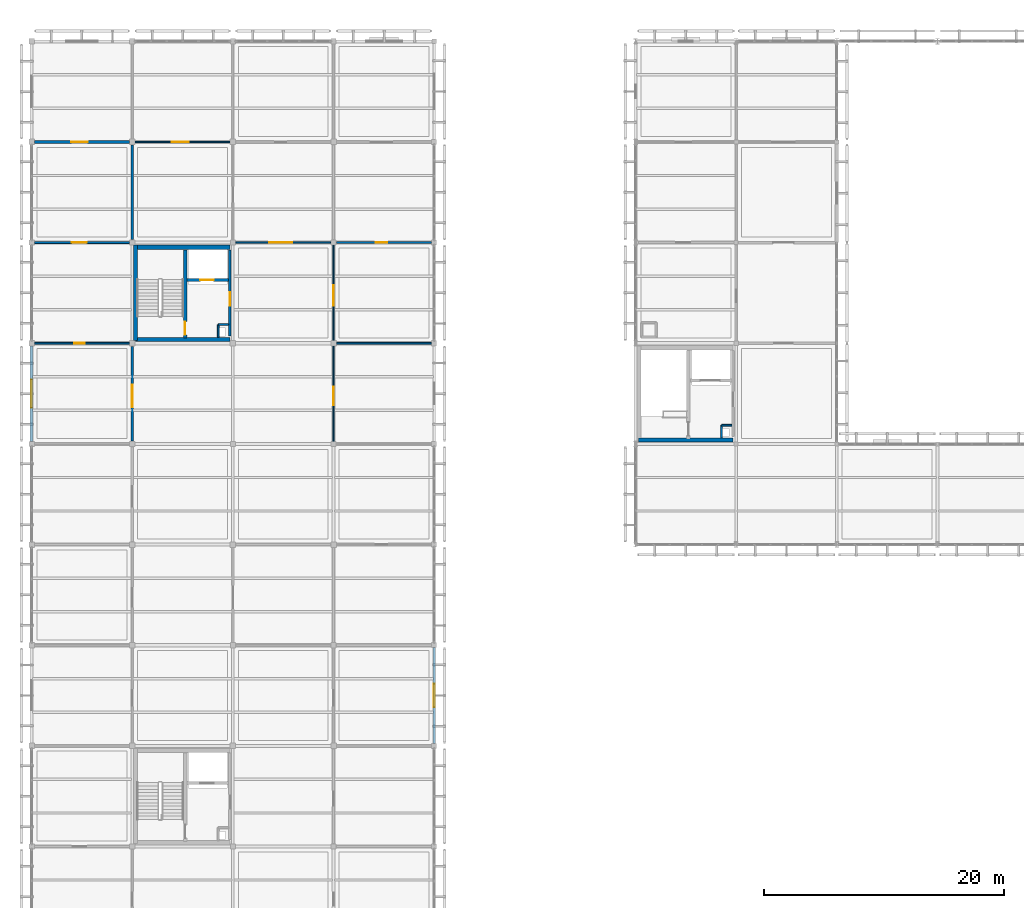
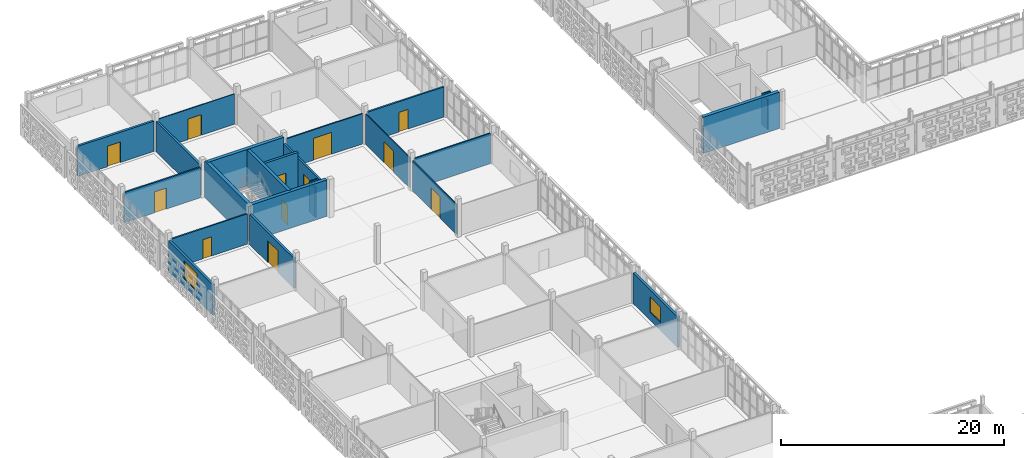
# One storey, part 86 of 140: 24 walls, 12 doors, 2 windows, 14 openings.
"""IFC4 building model written with IfcOpenShell, lengths in metres."""

from ifc_helpers import new_model, si_unit, direction, frame, frame_2d, origin, place, context, subcontext, project, spatial, rectangle, extrude, material, layer, layer_set, type_object, element, fill, save


model = new_model("IFC4")

# Units and contexts
model_context = context("Model", 3, precision=1e-05, world=origin(), true_north=direction((0.0, 1.0)))
body_context = subcontext(model_context, "Body", "Model", "MODEL_VIEW")
ifc_project = project(units=[si_unit("LENGTHUNIT", "METRE"), si_unit("AREAUNIT", "SQUARE_METRE"), si_unit("VOLUMEUNIT", "CUBIC_METRE"), si_unit("PLANEANGLEUNIT", "RADIAN"), si_unit("MASSUNIT", "GRAM", prefix="KILO")], contexts=[model_context])

# Site, building, storey
site_placement = place(None, origin())
site = spatial("IfcSite", under=ifc_project, at=site_placement, CompositionType="ELEMENT")
building_placement = place(site_placement, origin())
building = spatial("IfcBuilding", under=site, at=building_placement, Name="Varnapada Polytechnic", CompositionType="ELEMENT")
storey_placement = place(building_placement, frame((0.0, 0.0, 13.800048828125)))
storey = spatial("IfcBuildingStorey", under=building, at=storey_placement, Name="L03", CompositionType="ELEMENT", Elevation=13.800048828125)

# Wall, opening, door
ifc_material_1 = material(Name="Autoclaved Aerated Concrete Block AAC-600", Category="concrete")
ifc_layer_1 = layer(ifc_material_1, 0.199951171875)
ifc_layer_set_1 = layer_set([ifc_layer_1], Name="Autoclaved Aerated Concrete Block AAC-600")
wall_type_1 = type_object("IfcWallType", Name="Interior Wall IW-01", PredefinedType="PARTITIONING", material=ifc_layer_set_1)
wall_1_placement = place(storey_placement, frame((16.5400390625, 108.60009765625, 0.0), z_axis=(0.0, 0.0, 1.0), x_axis=(0.0, -1.0, 0.0)))
wall_1 = element("IfcWall", 1, at=wall_1_placement, inside=storey, type_object=wall_type_1, Name="L03 C1 firefighting lobby east wall", PredefinedType="PARTITIONING", context=body_context, shape_type="SweptSolid", body=[
    extrude(rectangle(XDim=7.2001953125, YDim=0.199951171875, at=frame_2d((3.60009765625, 0.0))), origin(), (0.0, 0.0, 1.0), 3.320068359375),
])
opening_1_placement = place(wall_1_placement, frame((3.550048828125, 0.0, 0.0)))
opening_1 = element("IfcOpeningElement", 2, at=opening_1_placement, cuts=wall_1, Name="Opening D-1188", PredefinedType="OPENING", context=body_context, shape_type="SweptSolid", body=[
    extrude(rectangle(XDim=1.10009765625, YDim=2.14990234375, at=frame_2d((0.550048828125, 1.074951171875))), frame((0.0, 0.10986328125, 0.0), z_axis=(0.0, -1.0, 0.0), x_axis=(1.0, 0.0, 0.0)), (0.0, 0.0, 1.0), 0.219970703125),
])
ifc_material_2 = material(Name="Galvanized Steel Z275", Category="steel")
door_type_1 = type_object("IfcDoorType", Name="Interior Door ID-01", OperationType="NOTDEFINED", PredefinedType="DOOR", material=ifc_material_2)
door_1_placement = place(opening_1_placement, frame((1.10009765625, 0.0, 0.0), z_axis=(0.0, 0.0, 1.0), x_axis=(-1.0, 0.0, 0.0)))
door_1 = element("IfcDoor", 3, at=door_1_placement, inside=storey, type_object=door_type_1, Name="L03 C1 lobby fire door D-1188", OperationType="SINGLE_SWING_RIGHT", OverallHeight=2.14990234375, OverallWidth=1.10009765625, PredefinedType="DOOR", context=body_context, shape_type="SweptSolid", body=[
    extrude(rectangle(XDim=1.10009765625, YDim=2.14990234375, at=frame_2d((0.550048828125, 1.074951171875))), frame((0.0, 0.02490234375, 0.0), z_axis=(0.0, -1.0, 0.0), x_axis=(1.0, 0.0, 0.0)), (0.0, 0.0, 1.0), 0.050048828125),
])
fill(opening_1, door_1)

# Walls
ifc_layer_2 = layer(ifc_material_1, 0.14990234375)
ifc_layer_set_2 = layer_set([ifc_layer_2], Name="Autoclaved Aerated Concrete Block AAC-600")
wall_type_2 = type_object("IfcWallType", Name="Interior Wall IW-02", PredefinedType="PARTITIONING", material=ifc_layer_set_2)
wall_2_placement = place(storey_placement, frame((15.580078125, 102.360107421875, 0.0), z_axis=(0.0, 0.0, 1.0), x_axis=(0.0, -1.0, 0.0)))
element("IfcWall", 4, at=wall_2_placement, inside=storey, type_object=wall_type_2, Name="L03 C1 riser shaft west wall", PredefinedType="PARTITIONING", context=body_context, shape_type="SweptSolid", body=[
    extrude(rectangle(XDim=1.06005859375, YDim=0.14990234375, at=frame_2d((0.530029296875, 0.0))), origin(), (0.0, 0.0, 1.0), 3.320068359375),
])
wall_3_placement = place(storey_placement, frame((15.580078125, 102.360107421875, 0.0), z_axis=(0.0, 0.0, 1.0), x_axis=(1.0, 0.0, 0.0)))
element("IfcWall", 5, at=wall_3_placement, inside=storey, type_object=wall_type_2, Name="L03 C1 riser shaft north wall", PredefinedType="PARTITIONING", context=body_context, shape_type="SweptSolid", body=[
    extrude(rectangle(XDim=0.85986328125, YDim=0.14990234375, at=frame_2d((0.429931640625, 0.0))), origin(), (0.0, 0.0, 1.0), 3.320068359375),
])
wall_4_placement = place(storey_placement, frame((57.580078125, 93.9599609375, 0.0), z_axis=(0.0, 0.0, 1.0), x_axis=(0.0, -1.0, 0.0)))
element("IfcWall", 6, at=wall_4_placement, inside=storey, type_object=wall_type_2, Name="L03 C4 riser shaft west wall", PredefinedType="PARTITIONING", context=body_context, shape_type="SweptSolid", body=[
    extrude(rectangle(XDim=1.06005859375, YDim=0.14990234375, at=frame_2d((0.530029296875, 0.0))), origin(), (0.0, 0.0, 1.0), 3.320068359375),
])
wall_5_placement = place(storey_placement, frame((57.580078125, 93.9599609375, 0.0), z_axis=(0.0, 0.0, 1.0), x_axis=(1.0, 0.0, 0.0)))
element("IfcWall", 7, at=wall_5_placement, inside=storey, type_object=wall_type_2, Name="L03 C4 riser shaft north wall", PredefinedType="PARTITIONING", context=body_context, shape_type="SweptSolid", body=[
    extrude(rectangle(XDim=0.85986328125, YDim=0.14990234375, at=frame_2d((0.429931640625, 0.0))), origin(), (0.0, 0.0, 1.0), 3.320068359375),
])

# Wall, opening, door
ifc_material_3 = material(Name="Glazed Timber-Framed Studio Screen", Category="wood")
ifc_layer_3 = layer(ifc_material_3, 0.110107421875)
ifc_layer_set_3 = layer_set([ifc_layer_3], Name="Glazed Timber-Framed Studio Screen")
wall_type_3 = type_object("IfcWallType", Name="Interior Wall IW-07", PredefinedType="PARTITIONING", material=ifc_layer_set_3)
wall_6_placement = place(storey_placement, frame((25.199951171875, 92.639892578125, 0.0), z_axis=(0.0, 0.0, 1.0), x_axis=(0.0, 1.0, 0.0)))
wall_6 = element("IfcWall", 8, at=wall_6_placement, inside=storey, type_object=wall_type_3, Name="L03 interior partition IW-L03-02-11-V", PredefinedType="PARTITIONING", context=body_context, shape_type="SweptSolid", body=[
    extrude(rectangle(XDim=7.91015625, YDim=0.110107421875, at=frame_2d((3.955078125, 0.0))), origin(), (0.0, 0.0, 1.0), 3.320068359375),
])
opening_2_placement = place(wall_6_placement, frame((2.97509765625, 0.0, 0.0)))
opening_2 = element("IfcOpeningElement", 9, at=opening_2_placement, cuts=wall_6, Name="Opening D-1217", PredefinedType="OPENING", context=body_context, shape_type="SweptSolid", body=[
    extrude(rectangle(XDim=1.550048828125, YDim=2.35009765625, at=frame_2d((0.77490234375, 1.175048828125))), frame((0.0, 0.06494140625, 0.0), z_axis=(0.0, -1.0, 0.0), x_axis=(1.0, 0.0, 0.0)), (0.0, 0.0, 1.0), 0.130126953125),
])
door_type_2 = type_object("IfcDoorType", Name="Interior Door ID-12", OperationType="NOTDEFINED", PredefinedType="DOOR", material=ifc_material_2)
door_2_placement = place(opening_2_placement, frame((1.550048828125, 0.0, 0.0), z_axis=(0.0, 0.0, 1.0), x_axis=(-1.0, 0.0, 0.0)))
door_2 = element("IfcDoor", 10, at=door_2_placement, inside=storey, type_object=door_type_2, Name="L03 interior room door D-1217", OperationType="SINGLE_SWING_RIGHT", OverallHeight=2.35009765625, OverallWidth=1.550048828125, PredefinedType="DOOR", context=body_context, shape_type="SweptSolid", body=[
    extrude(rectangle(XDim=1.550048828125, YDim=2.35009765625, at=frame_2d((0.77490234375, 1.175048828125))), frame((0.0, 0.02490234375, 0.0), z_axis=(0.0, -1.0, 0.0), x_axis=(1.0, 0.0, 0.0)), (0.0, 0.0, 1.0), 0.050048828125),
])
fill(opening_2, door_2)

ifc_material_4 = material(Name="Operable Acoustic Seminar Partition")
ifc_layer_4 = layer(ifc_material_4, 0.10009765625)
ifc_layer_set_4 = layer_set([ifc_layer_4], Name="Operable Acoustic Seminar Partition")
wall_type_4 = type_object("IfcWallType", Name="Interior Wall IW-08", PredefinedType="MOVABLE", material=ifc_layer_set_4)
wall_7_placement = place(storey_placement, frame((8.64990234375, 117.60009765625, 0.0), z_axis=(0.0, 0.0, 1.0), x_axis=(1.0, 0.0, 0.0)))
wall_7 = element("IfcWall", 11, at=wall_7_placement, inside=storey, type_object=wall_type_4, Name="L03 interior partition IW-L03-01-13-H", PredefinedType="MOVABLE", context=body_context, shape_type="SweptSolid", body=[
    extrude(rectangle(XDim=7.900146484375, YDim=0.10009765625, at=frame_2d((3.9501953125, 0.0))), origin(), (0.0, 0.0, 1.0), 3.320068359375),
])
opening_3_placement = place(wall_7_placement, frame((3.050048828125, 0.0, 0.0)))
opening_3 = element("IfcOpeningElement", 12, at=opening_3_placement, cuts=wall_7, Name="Opening D-1211", PredefinedType="OPENING", context=body_context, shape_type="SweptSolid", body=[
    extrude(rectangle(XDim=1.39990234375, YDim=2.25, at=frame_2d((0.699951171875, 1.125))), frame((0.0, 0.06005859375, 0.0), z_axis=(0.0, -1.0, 0.0), x_axis=(1.0, 0.0, 0.0)), (0.0, 0.0, 1.0), 0.1201171875),
])
ifc_material_5 = material(Name="Powder-Coated Aluminium 6063-T6", Category="aluminium")
door_type_3 = type_object("IfcDoorType", Name="Interior Door ID-06", OperationType="NOTDEFINED", PredefinedType="DOOR", material=ifc_material_5)
door_3_placement = place(opening_3_placement, frame((1.39990234375, 0.0, 0.0), z_axis=(0.0, 0.0, 1.0), x_axis=(-1.0, 0.0, 0.0)))
door_3 = element("IfcDoor", 13, at=door_3_placement, inside=storey, type_object=door_type_3, Name="L03 interior room door D-1211", OperationType="SINGLE_SWING_RIGHT", OverallHeight=2.25, OverallWidth=1.39990234375, PredefinedType="DOOR", context=body_context, shape_type="SweptSolid", body=[
    extrude(rectangle(XDim=1.39990234375, YDim=2.25, at=frame_2d((0.699951171875, 1.125))), frame((0.0, 0.02490234375, 0.0), z_axis=(0.0, -1.0, 0.0), x_axis=(1.0, 0.0, 0.0)), (0.0, 0.0, 1.0), 0.050048828125),
])
fill(opening_3, door_3)

wall_8_placement = place(storey_placement, frame((25.199951171875, 101.050048828125, 0.0), z_axis=(0.0, 0.0, 1.0), x_axis=(0.0, 1.0, 0.0)))
wall_8 = element("IfcWall", 14, at=wall_8_placement, inside=storey, type_object=wall_type_4, Name="L03 interior partition IW-L03-02-12-V", PredefinedType="MOVABLE", context=body_context, shape_type="SweptSolid", body=[
    extrude(rectangle(XDim=7.909912109375, YDim=0.10009765625, at=frame_2d((3.955078125, 0.0))), origin(), (0.0, 0.0, 1.0), 3.320068359375),
])
opening_4_placement = place(wall_8_placement, frame((2.89990234375, 0.0, 0.0)))
opening_4 = element("IfcOpeningElement", 15, at=opening_4_placement, cuts=wall_8, Name="Opening D-1218", PredefinedType="OPENING", context=body_context, shape_type="SweptSolid", body=[
    extrude(rectangle(XDim=1.699951171875, YDim=2.300048828125, at=frame_2d((0.85009765625, 1.14990234375))), frame((0.0, 0.06005859375, 0.0), z_axis=(0.0, -1.0, 0.0), x_axis=(1.0, 0.0, 0.0)), (0.0, 0.0, 1.0), 0.1201171875),
])
ifc_material_6 = material(Name="Acoustic Double Timber Leaf", Category="wood")
door_type_4 = type_object("IfcDoorType", Name="Interior Door ID-13", OperationType="NOTDEFINED", PredefinedType="DOOR", material=ifc_material_6)
door_4_placement = place(opening_4_placement, origin())
door_4 = element("IfcDoor", 16, at=door_4_placement, inside=storey, type_object=door_type_4, Name="L03 interior room door D-1218", OperationType="SINGLE_SWING_LEFT", OverallHeight=2.300048828125, OverallWidth=1.699951171875, PredefinedType="DOOR", context=body_context, shape_type="SweptSolid", body=[
    extrude(rectangle(XDim=1.699951171875, YDim=2.300048828125, at=frame_2d((0.85009765625, 1.14990234375))), frame((0.0, 0.02490234375, 0.0), z_axis=(0.0, -1.0, 0.0), x_axis=(1.0, 0.0, 0.0)), (0.0, 0.0, 1.0), 0.050048828125),
])
fill(opening_4, door_4)

ifc_material_7 = material(Name="Calcium Silicate Acoustic Lab Partition")
ifc_layer_5 = layer(ifc_material_7, 0.135009765625)
ifc_layer_set_5 = layer_set([ifc_layer_5], Name="Calcium Silicate Acoustic Lab Partition")
wall_type_5 = type_object("IfcWallType", Name="Interior Wall IW-09", PredefinedType="PARTITIONING", material=ifc_layer_set_5)
wall_9_placement = place(storey_placement, frame((17.0400390625, 109.199951171875, 0.0), z_axis=(0.0, 0.0, 1.0), x_axis=(1.0, 0.0, 0.0)))
wall_9 = element("IfcWall", 17, at=wall_9_placement, inside=storey, type_object=wall_type_5, Name="L03 interior partition IW-L03-02-12-H", PredefinedType="PARTITIONING", context=body_context, shape_type="SweptSolid", body=[
    extrude(rectangle(XDim=7.919921875, YDim=0.135009765625, at=frame_2d((3.9599609375, 0.0))), origin(), (0.0, 0.0, 1.0), 3.320068359375),
])
opening_5_placement = place(wall_9_placement, frame((2.800048828125, 0.0, 0.0)))
opening_5 = element("IfcOpeningElement", 18, at=opening_5_placement, cuts=wall_9, Name="Opening D-1219", PredefinedType="OPENING", context=body_context, shape_type="SweptSolid", body=[
    extrude(rectangle(XDim=1.89990234375, YDim=2.39990234375, at=frame_2d((0.949951171875, 1.199951171875))), frame((0.0, 0.077392578125, 0.0), z_axis=(0.0, -1.0, 0.0), x_axis=(1.0, 0.0, 0.0)), (0.0, 0.0, 1.0), 0.155029296875),
])
ifc_material_8 = material(Name="Heavy Workshop Double Steel Door", Category="steel")
door_type_5 = type_object("IfcDoorType", Name="Interior Door ID-14", OperationType="NOTDEFINED", PredefinedType="DOOR", material=ifc_material_8)
door_5_placement = place(opening_5_placement, origin())
door_5 = element("IfcDoor", 19, at=door_5_placement, inside=storey, type_object=door_type_5, Name="L03 interior room door D-1219", OperationType="SINGLE_SWING_RIGHT", OverallHeight=2.39990234375, OverallWidth=1.89990234375, PredefinedType="DOOR", context=body_context, shape_type="SweptSolid", body=[
    extrude(rectangle(XDim=1.89990234375, YDim=2.39990234375, at=frame_2d((0.949951171875, 1.199951171875))), frame((0.0, 0.02490234375, 0.0), z_axis=(0.0, -1.0, 0.0), x_axis=(1.0, 0.0, 0.0)), (0.0, 0.0, 1.0), 0.050048828125),
])
fill(opening_5, door_5)

# Wall
wall_10_placement = place(storey_placement, frame((25.449951171875, 100.800048828125, 0.0), z_axis=(0.0, 0.0, 1.0), x_axis=(1.0, 0.0, 0.0)))
element("IfcWall", 20, at=wall_10_placement, inside=storey, type_object=wall_type_5, Name="L03 interior partition IW-L03-03-11-H", PredefinedType="PARTITIONING", context=body_context, shape_type="SweptSolid", body=[
    extrude(rectangle(XDim=7.920166015625, YDim=0.135009765625, at=frame_2d((3.9599609375, 0.0))), origin(), (0.0, 0.0, 1.0), 3.320068359375),
])

# Wall, opening, door
ifc_material_9 = material(Name="Double-Layer Fireboard Workshop Wall")
ifc_layer_6 = layer(ifc_material_9, 0.169921875)
ifc_layer_set_6 = layer_set([ifc_layer_6], Name="Double-Layer Fireboard Workshop Wall")
wall_type_6 = type_object("IfcWallType", Name="Interior Wall IW-10", PredefinedType="PARTITIONING", material=ifc_layer_set_6)
wall_11_placement = place(storey_placement, frame((25.43994140625, 109.199951171875, 0.0), z_axis=(0.0, 0.0, 1.0), x_axis=(1.0, 0.0, 0.0)))
wall_11 = element("IfcWall", 21, at=wall_11_placement, inside=storey, type_object=wall_type_6, Name="L03 interior partition IW-L03-03-12-H", PredefinedType="PARTITIONING", context=body_context, shape_type="SweptSolid", body=[
    extrude(rectangle(XDim=7.93017578125, YDim=0.169921875, at=frame_2d((3.965087890625, 0.0))), origin(), (0.0, 0.0, 1.0), 3.320068359375),
])
opening_6_placement = place(wall_11_placement, frame((3.27490234375, 0.0, 0.0)))
opening_6 = element("IfcOpeningElement", 22, at=opening_6_placement, cuts=wall_11, Name="Opening D-1225", PredefinedType="OPENING", context=body_context, shape_type="SweptSolid", body=[
    extrude(rectangle(XDim=0.949951171875, YDim=2.14990234375, at=frame_2d((0.47509765625, 1.074951171875))), frame((0.0, 0.094970703125, 0.0), z_axis=(0.0, -1.0, 0.0), x_axis=(1.0, 0.0, 0.0)), (0.0, 0.0, 1.0), 0.18994140625),
])
ifc_material_10 = material(Name="Moisture-Resistant HPL Timber", Category="wood")
door_type_6 = type_object("IfcDoorType", Name="Interior Door ID-03", OperationType="NOTDEFINED", PredefinedType="DOOR", material=ifc_material_10)
door_6_placement = place(opening_6_placement, origin())
door_6 = element("IfcDoor", 23, at=door_6_placement, inside=storey, type_object=door_type_6, Name="L03 interior room door D-1225", OperationType="SINGLE_SWING_RIGHT", OverallHeight=2.14990234375, OverallWidth=0.949951171875, PredefinedType="DOOR", context=body_context, shape_type="SweptSolid", body=[
    extrude(rectangle(XDim=0.949951171875, YDim=2.14990234375, at=frame_2d((0.47509765625, 1.074951171875))), frame((0.0, 0.02490234375, 0.0), z_axis=(0.0, -1.0, 0.0), x_axis=(1.0, 0.0, 0.0)), (0.0, 0.0, 1.0), 0.050048828125),
])
fill(opening_6, door_6)

ifc_material_11 = material(Name="Heavy Acoustic Auditorium Baffle Wall")
ifc_layer_7 = layer(ifc_material_11, 0.219970703125)
ifc_layer_set_7 = layer_set([ifc_layer_7], Name="Heavy Acoustic Auditorium Baffle Wall")
wall_type_7 = type_object("IfcWallType", Name="Interior Wall IW-13", PredefinedType="PARTITIONING", material=ifc_layer_set_7)
wall_12_placement = place(storey_placement, frame((8.39990234375, 92.639892578125, 0.0), z_axis=(0.0, 0.0, 1.0), x_axis=(0.0, 1.0, 0.0)))
wall_12 = element("IfcWall", 24, at=wall_12_placement, inside=storey, type_object=wall_type_7, Name="L03 interior partition IW-L03-00-11-V", PredefinedType="PARTITIONING", context=body_context, shape_type="SweptSolid", body=[
    extrude(rectangle(XDim=7.91015625, YDim=0.219970703125, at=frame_2d((3.955078125, 0.0))), origin(), (0.0, 0.0, 1.0), 3.320068359375),
])
opening_7_placement = place(wall_12_placement, frame((2.800048828125, 0.0, 0.0)))
opening_7 = element("IfcOpeningElement", 25, at=opening_7_placement, cuts=wall_12, Name="Opening D-1202", PredefinedType="OPENING", context=body_context, shape_type="SweptSolid", body=[
    extrude(rectangle(XDim=1.89990234375, YDim=2.39990234375, at=frame_2d((0.949951171875, 1.199951171875))), frame((0.0, 0.119873046875, 0.0), z_axis=(0.0, -1.0, 0.0), x_axis=(1.0, 0.0, 0.0)), (0.0, 0.0, 1.0), 0.239990234375),
])
door_7_placement = place(opening_7_placement, frame((1.89990234375, 0.0, 0.0), z_axis=(0.0, 0.0, 1.0), x_axis=(-1.0, 0.0, 0.0)))
door_7 = element("IfcDoor", 26, at=door_7_placement, inside=storey, type_object=door_type_5, Name="L03 interior room door D-1202", OperationType="SINGLE_SWING_LEFT", OverallHeight=2.39990234375, OverallWidth=1.89990234375, PredefinedType="DOOR", context=body_context, shape_type="SweptSolid", body=[
    extrude(rectangle(XDim=1.89990234375, YDim=2.39990234375, at=frame_2d((0.949951171875, 1.199951171875))), frame((0.0, 0.02490234375, 0.0), z_axis=(0.0, -1.0, 0.0), x_axis=(1.0, 0.0, 0.0)), (0.0, 0.0, 1.0), 0.050048828125),
])
fill(opening_7, door_7)

ifc_material_12 = material(Name="Ceramic-Tiled Wet Laboratory Wall")
ifc_layer_8 = layer(ifc_material_12, 0.14501953125)
ifc_layer_set_8 = layer_set([ifc_layer_8], Name="Ceramic-Tiled Wet Laboratory Wall")
wall_type_8 = type_object("IfcWallType", Name="Interior Wall IW-14", PredefinedType="PARTITIONING", material=ifc_layer_set_8)
wall_13_placement = place(storey_placement, frame((0.25, 100.800048828125, 0.0), z_axis=(0.0, 0.0, 1.0), x_axis=(1.0, 0.0, 0.0)))
wall_13 = element("IfcWall", 27, at=wall_13_placement, inside=storey, type_object=wall_type_8, Name="L03 interior partition IW-L03-00-11-H", PredefinedType="PARTITIONING", context=body_context, shape_type="SweptSolid", body=[
    extrude(rectangle(XDim=7.89990234375, YDim=0.14501953125, at=frame_2d((3.949951171875, 0.0))), origin(), (0.0, 0.0, 1.0), 3.320068359375),
])
opening_8_placement = place(wall_13_placement, frame((3.300048828125, 0.0, 0.0)))
opening_8 = element("IfcOpeningElement", 28, at=opening_8_placement, cuts=wall_13, Name="Opening D-1203", PredefinedType="OPENING", context=body_context, shape_type="SweptSolid", body=[
    extrude(rectangle(XDim=0.89990234375, YDim=2.10009765625, at=frame_2d((0.449951171875, 1.050048828125))), frame((0.0, 0.08251953125, 0.0), z_axis=(0.0, -1.0, 0.0), x_axis=(1.0, 0.0, 0.0)), (0.0, 0.0, 1.0), 0.1650390625),
])
door_type_7 = type_object("IfcDoorType", Name="Interior Door ID-15", OperationType="NOTDEFINED", PredefinedType="DOOR", material=ifc_material_10)
door_8_placement = place(opening_8_placement, origin())
door_8 = element("IfcDoor", 29, at=door_8_placement, inside=storey, type_object=door_type_7, Name="L03 interior room door D-1203", OperationType="SINGLE_SWING_RIGHT", OverallHeight=2.10009765625, OverallWidth=0.89990234375, PredefinedType="DOOR", context=body_context, shape_type="SweptSolid", body=[
    extrude(rectangle(XDim=0.89990234375, YDim=2.10009765625, at=frame_2d((0.449951171875, 1.050048828125))), frame((0.0, 0.02490234375, 0.0), z_axis=(0.0, -1.0, 0.0), x_axis=(1.0, 0.0, 0.0)), (0.0, 0.0, 1.0), 0.050048828125),
])
fill(opening_8, door_8)

ifc_material_13 = material(Name="Perforated Timber-Lined Seminar Wall", Category="wood")
ifc_layer_9 = layer(ifc_material_13, 0.155029296875)
ifc_layer_set_9 = layer_set([ifc_layer_9], Name="Perforated Timber-Lined Seminar Wall")
wall_type_9 = type_object("IfcWallType", Name="Interior Wall IW-15", PredefinedType="PARTITIONING", material=ifc_layer_set_9)
wall_14_placement = place(storey_placement, frame((0.239990234375, 109.199951171875, 0.0), z_axis=(0.0, 0.0, 1.0), x_axis=(1.0, 0.0, 0.0)))
wall_14 = element("IfcWall", 30, at=wall_14_placement, inside=storey, type_object=wall_type_9, Name="L03 interior partition IW-L03-00-12-H", PredefinedType="PARTITIONING", context=body_context, shape_type="SweptSolid", body=[
    extrude(rectangle(XDim=7.919921875, YDim=0.155029296875, at=frame_2d((3.9599609375, 0.0))), origin(), (0.0, 0.0, 1.0), 3.320068359375),
])
opening_9_placement = place(wall_14_placement, frame((3.125, 0.0, 0.0)))
opening_9 = element("IfcOpeningElement", 31, at=opening_9_placement, cuts=wall_14, Name="Opening D-1204", PredefinedType="OPENING", context=body_context, shape_type="SweptSolid", body=[
    extrude(rectangle(XDim=1.25, YDim=2.300048828125, at=frame_2d((0.625, 1.14990234375))), frame((0.0, 0.08740234375, 0.0), z_axis=(0.0, -1.0, 0.0), x_axis=(1.0, 0.0, 0.0)), (0.0, 0.0, 1.0), 0.175048828125),
])
ifc_material_14 = material(Name="Solid Teak Hardwood Timber", Category="wood")
door_type_8 = type_object("IfcDoorType", Name="Interior Door ID-16", OperationType="NOTDEFINED", PredefinedType="DOOR", material=ifc_material_14)
door_9_placement = place(opening_9_placement, origin())
door_9 = element("IfcDoor", 32, at=door_9_placement, inside=storey, type_object=door_type_8, Name="L03 interior room door D-1204", OperationType="SINGLE_SWING_LEFT", OverallHeight=2.300048828125, OverallWidth=1.25, PredefinedType="DOOR", context=body_context, shape_type="SweptSolid", body=[
    extrude(rectangle(XDim=1.25, YDim=2.300048828125, at=frame_2d((0.625, 1.14990234375))), frame((0.0, 0.02490234375, 0.0), z_axis=(0.0, -1.0, 0.0), x_axis=(1.0, 0.0, 0.0)), (0.0, 0.0, 1.0), 0.050048828125),
])
fill(opening_9, door_9)

# Wall
ifc_material_15 = material(Name="Heavy Masonry Workshop Partition", Category="masonry")
ifc_layer_10 = layer(ifc_material_15, 0.2099609375)
ifc_layer_set_10 = layer_set([ifc_layer_10], Name="Heavy Masonry Workshop Partition")
wall_type_10 = type_object("IfcWallType", Name="Interior Wall IW-16", PredefinedType="PARTITIONING", material=ifc_layer_set_10)
wall_15_placement = place(storey_placement, frame((8.39990234375, 109.43994140625, 0.0), z_axis=(0.0, 0.0, 1.0), x_axis=(0.0, 1.0, 0.0)))
element("IfcWall", 33, at=wall_15_placement, inside=storey, type_object=wall_type_10, Name="L03 interior partition IW-L03-00-13-V", PredefinedType="PARTITIONING", context=body_context, shape_type="SweptSolid", body=[
    extrude(rectangle(XDim=7.91015625, YDim=0.2099609375, at=frame_2d((3.955078125, 0.0))), origin(), (0.0, 0.0, 1.0), 3.320068359375),
])

# Wall, opening, door
ifc_material_16 = material(Name="Double-Leaf Acoustic Lecture Wall")
ifc_layer_11 = layer(ifc_material_16, 0.235107421875)
ifc_layer_set_11 = layer_set([ifc_layer_11], Name="Double-Leaf Acoustic Lecture Wall")
wall_type_11 = type_object("IfcWallType", Name="Interior Wall IW-17", PredefinedType="PARTITIONING", material=ifc_layer_set_11)
wall_16_placement = place(storey_placement, frame((0.25, 117.60009765625, 0.0), z_axis=(0.0, 0.0, 1.0), x_axis=(1.0, 0.0, 0.0)))
wall_16 = element("IfcWall", 34, at=wall_16_placement, inside=storey, type_object=wall_type_11, Name="L03 interior partition IW-L03-00-13-H", PredefinedType="PARTITIONING", context=body_context, shape_type="SweptSolid", body=[
    extrude(rectangle(XDim=7.89990234375, YDim=0.235107421875, at=frame_2d((3.949951171875, 0.0))), origin(), (0.0, 0.0, 1.0), 3.320068359375),
])
opening_10_placement = place(wall_16_placement, frame((3.074951171875, 0.0, 0.0)))
opening_10 = element("IfcOpeningElement", 35, at=opening_10_placement, cuts=wall_16, Name="Opening D-1205", PredefinedType="OPENING", context=body_context, shape_type="SweptSolid", body=[
    extrude(rectangle(XDim=1.35009765625, YDim=2.25, at=frame_2d((0.675048828125, 1.125))), frame((0.0, 0.12744140625, 0.0), z_axis=(0.0, -1.0, 0.0), x_axis=(1.0, 0.0, 0.0)), (0.0, 0.0, 1.0), 0.255126953125),
])
door_type_9 = type_object("IfcDoorType", Name="Interior Door ID-17", OperationType="NOTDEFINED", PredefinedType="DOOR", material=ifc_material_5)
door_10_placement = place(opening_10_placement, frame((1.35009765625, 0.0, 0.0), z_axis=(0.0, 0.0, 1.0), x_axis=(-1.0, 0.0, 0.0)))
door_10 = element("IfcDoor", 36, at=door_10_placement, inside=storey, type_object=door_type_9, Name="L03 interior room door D-1205", OperationType="SINGLE_SWING_RIGHT", OverallHeight=2.25, OverallWidth=1.35009765625, PredefinedType="DOOR", context=body_context, shape_type="SweptSolid", body=[
    extrude(rectangle(XDim=1.35009765625, YDim=2.25, at=frame_2d((0.675048828125, 1.125))), frame((0.0, 0.02490234375, 0.0), z_axis=(0.0, -1.0, 0.0), x_axis=(1.0, 0.0, 0.0)), (0.0, 0.0, 1.0), 0.050048828125),
])
fill(opening_10, door_10)

# Walls
ifc_material_17 = material(Name="Concrete C40/50", Category="concrete")
ifc_layer_12 = layer(ifc_material_17, 0.35009765625)
ifc_layer_set_12 = layer_set([ifc_layer_12], Name="Concrete C40/50")
wall_type_12 = type_object("IfcWallType", Name="Interior Wall SW-01", PredefinedType="SHEAR", material=ifc_layer_set_12)
wall_17_placement = place(storey_placement, frame((8.6650390625, 101.050048828125, 0.0), z_axis=(0.0, 0.0, 1.0), x_axis=(0.0, 1.0, 0.0)))
element("IfcWall", 37, at=wall_17_placement, inside=storey, type_object=wall_type_12, Name="L03 C1 stair west shear wall", PredefinedType="SHEAR", context=body_context, shape_type="SweptSolid", body=[
    extrude(rectangle(XDim=7.93994140625, YDim=0.35009765625, at=frame_2d((3.969970703125, 0.0))), origin(), (0.0, 0.0, 1.0), 3.97998046875),
])
for number, where, z_axis, x_axis, name in (
    (38, (8.6650390625, 108.820068359375, 0.0), (0.0, 0.0, 1.0), (1.0, 0.0, 0.0), "L03 C1 core north shear wall"),
    (39, (16.5400390625, 101.1201171875, 0.0), (0.0, 0.0, 1.0), (-1.0, 0.0, 0.0), "L03 C1 core south shear wall"),
    (40, (58.5400390625, 92.719970703125, 0.0), (0.0, 0.0, 1.0), (-1.0, 0.0, 0.0), "L03 C4 core south shear wall"),
):
    element("IfcWall", number, at=place(storey_placement, frame(where, z_axis=z_axis, x_axis=x_axis)), inside=storey, type_object=wall_type_12, Name=name, PredefinedType="SHEAR", context=body_context, shape_type="SweptSolid", body=[
        extrude(rectangle(XDim=7.875, YDim=0.35009765625, at=frame_2d((3.9375, 0.0))), origin(), (0.0, 0.0, 1.0), 3.97998046875),
    ])

# Wall, opening, door
ifc_layer_13 = layer(ifc_material_17, 0.300048828125)
ifc_layer_set_13 = layer_set([ifc_layer_13], Name="Concrete C40/50")
wall_type_13 = type_object("IfcWallType", Name="Interior Wall SW-02", PredefinedType="SHEAR", material=ifc_layer_set_13)
wall_18_placement = place(storey_placement, frame((12.81005859375, 101.219970703125, 0.0), z_axis=(0.0, 0.0, 1.0), x_axis=(0.0, 1.0, 0.0)))
wall_18 = element("IfcWall", 41, at=wall_18_placement, inside=storey, type_object=wall_type_13, Name="L03 C1 stair-lobby dividing shear wall", PredefinedType="SHEAR", context=body_context, shape_type="SweptSolid", body=[
    extrude(rectangle(XDim=7.380126953125, YDim=0.300048828125, at=frame_2d((3.68994140625, 0.0))), origin(), (0.0, 0.0, 1.0), 3.97998046875),
])
opening_11_placement = place(wall_18_placement, frame((0.280029296875, 0.0, 0.0)))
opening_11 = element("IfcOpeningElement", 42, at=opening_11_placement, cuts=wall_18, Name="Opening D-1189", PredefinedType="OPENING", context=body_context, shape_type="SweptSolid", body=[
    extrude(rectangle(XDim=1.10009765625, YDim=2.14990234375, at=frame_2d((0.550048828125, 1.074951171875))), frame((0.0, 0.159912109375, 0.0), z_axis=(0.0, -1.0, 0.0), x_axis=(1.0, 0.0, 0.0)), (0.0, 0.0, 1.0), 0.320068359375),
])
door_11_placement = place(opening_11_placement, origin())
door_11 = element("IfcDoor", 43, at=door_11_placement, inside=storey, type_object=door_type_1, Name="L03 C1 exit stair door D-1189", OperationType="SINGLE_SWING_RIGHT", OverallHeight=2.14990234375, OverallWidth=1.10009765625, PredefinedType="DOOR", context=body_context, shape_type="SweptSolid", body=[
    extrude(rectangle(XDim=1.10009765625, YDim=2.14990234375, at=frame_2d((0.550048828125, 1.074951171875))), frame((0.0, 0.02490234375, 0.0), z_axis=(0.0, -1.0, 0.0), x_axis=(1.0, 0.0, 0.0)), (0.0, 0.0, 1.0), 0.050048828125),
])
fill(opening_11, door_11)

ifc_layer_14 = layer(ifc_material_17, 0.25)
ifc_layer_set_14 = layer_set([ifc_layer_14], Name="Concrete C40/50")
wall_type_14 = type_object("IfcWallType", Name="Interior Wall SW-05", PredefinedType="SHEAR", material=ifc_layer_set_14)
wall_19_placement = place(storey_placement, frame((12.97998046875, 106.080078125, 0.0), z_axis=(0.0, 0.0, 1.0), x_axis=(1.0, 0.0, 0.0)))
wall_19 = element("IfcWall", 44, at=wall_19_placement, inside=storey, type_object=wall_type_14, Name="L03 C1 lift shaft front wall", PredefinedType="SHEAR", context=body_context, shape_type="SweptSolid", body=[
    extrude(rectangle(XDim=3.4599609375, YDim=0.25, at=frame_2d((1.72998046875, 0.0))), origin(), (0.0, 0.0, 1.0), 3.97998046875),
])
opening_12_placement = place(wall_19_placement, frame((1.10009765625, 0.0, 0.0)))
opening_12 = element("IfcOpeningElement", 45, at=opening_12_placement, cuts=wall_19, Name="Opening LD-026", PredefinedType="OPENING", context=body_context, shape_type="SweptSolid", body=[
    extrude(rectangle(XDim=1.10009765625, YDim=2.14990234375, at=frame_2d((0.550048828125, 1.074951171875))), frame((0.0, 0.135009765625, 0.0), z_axis=(0.0, -1.0, 0.0), x_axis=(1.0, 0.0, 0.0)), (0.0, 0.0, 1.0), 0.27001953125),
])
ifc_material_18 = material(Name="Brushed Stainless Steel 316", Category="steel")
door_type_10 = type_object("IfcDoorType", Name="Interior Door LD-01", OperationType="NOTDEFINED", PredefinedType="DOOR", material=ifc_material_18)
door_12_placement = place(opening_12_placement, origin())
door_12 = element("IfcDoor", 46, at=door_12_placement, inside=storey, type_object=door_type_10, Name="L03 LFT-01 sliding lift landing door LD-026", OperationType="DOUBLE_DOOR_SLIDING", OverallHeight=2.14990234375, OverallWidth=1.10009765625, PredefinedType="DOOR", context=body_context, shape_type="SweptSolid", body=[
    extrude(rectangle(XDim=1.10009765625, YDim=2.14990234375, at=frame_2d((0.550048828125, 1.074951171875))), frame((0.0, 0.02490234375, 0.0), z_axis=(0.0, -1.0, 0.0), x_axis=(1.0, 0.0, 0.0)), (0.0, 0.0, 1.0), 0.050048828125),
])
fill(opening_12, door_12)

# Wall, opening, window
ifc_material_19 = material(Name="Precast concrete C40/50", Category="concrete")
ifc_layer_15 = layer(ifc_material_19, 0.239990234375)
ifc_layer_set_15 = layer_set([ifc_layer_15], Name="Precast concrete C40/50")
wall_type_15 = type_object("IfcWallType", Name="Wall EW-06", PredefinedType="SOLIDWALL", material=ifc_layer_set_15)
wall_20_placement = place(storey_placement, frame((0.0, 92.6201171875, 0.0), z_axis=(0.0, 0.0, 1.0), x_axis=(0.0, 1.0, 0.0)))
wall_20 = element("IfcWall", 47, at=wall_20_placement, inside=storey, type_object=wall_type_15, Name="L03 exterior wall EW-06 (8)", PredefinedType="SOLIDWALL", context=body_context, shape_type="SweptSolid", body=[
    extrude(rectangle(XDim=7.949951171875, YDim=0.239990234375, at=frame_2d((3.97509765625, 0.0))), origin(), (0.0, 0.0, 1.0), 3.35986328125),
])
opening_13_placement = place(wall_20_placement, frame((2.800048828125, 0.0, 0.89990234375)))
opening_13 = element("IfcOpeningElement", 48, at=opening_13_placement, cuts=wall_20, Name="Opening WN-26", PredefinedType="OPENING", context=body_context, shape_type="SweptSolid", body=[
    extrude(rectangle(XDim=2.35009765625, YDim=1.949951171875, at=frame_2d((1.175048828125, 0.97509765625))), frame((0.0, 0.1298828125, 0.0), z_axis=(0.0, -1.0, 0.0), x_axis=(1.0, 0.0, 0.0)), (0.0, 0.0, 1.0), 0.260009765625),
])
ifc_material_20 = material(Name="Double low-E laminated glass", Category="glass")
window_type_1 = type_object("IfcWindowType", Name="Window WN-26", PartitioningType="SINGLE_PANEL", PredefinedType="WINDOW", material=ifc_material_20)
window_1_placement = place(opening_13_placement, origin())
window_1 = element("IfcWindow", 49, at=window_1_placement, inside=storey, type_object=window_type_1, Name="L03 window WN-26 (135)", OverallHeight=1.949951171875, OverallWidth=2.35009765625, PartitioningType="SINGLE_PANEL", PredefinedType="WINDOW", context=body_context, shape_type="SweptSolid", body=[
    extrude(rectangle(XDim=2.35009765625, YDim=1.949951171875, at=frame_2d((1.175048828125, 0.97509765625))), frame((0.0, 0.030029296875, 0.0), z_axis=(0.0, -1.0, 0.0), x_axis=(1.0, 0.0, 0.0)), (0.0, 0.0, 1.0), 0.06005859375),
])
fill(opening_13, window_1)

wall_21_placement = place(storey_placement, frame((33.60009765625, 75.389892578125, 0.0), z_axis=(0.0, 0.0, 1.0), x_axis=(0.0, -1.0, 0.0)))
wall_21 = element("IfcWall", 50, at=wall_21_placement, inside=storey, type_object=wall_type_15, Name="L03 exterior wall EW-06 (25)", PredefinedType="SOLIDWALL", context=body_context, shape_type="SweptSolid", body=[
    extrude(rectangle(XDim=7.97998046875, YDim=0.239990234375, at=frame_2d((3.989990234375, 0.0))), origin(), (0.0, 0.0, 1.0), 3.35986328125),
])
opening_14_placement = place(wall_21_placement, frame((3.014892578125, 0.0, 0.89990234375)))
opening_14 = element("IfcOpeningElement", 51, at=opening_14_placement, cuts=wall_21, Name="Opening WN-32", PredefinedType="OPENING", context=body_context, shape_type="SweptSolid", body=[
    extrude(rectangle(XDim=1.949951171875, YDim=1.699951171875, at=frame_2d((0.97509765625, 0.85009765625))), frame((0.0, 0.1298828125, 0.0), z_axis=(0.0, -1.0, 0.0), x_axis=(1.0, 0.0, 0.0)), (0.0, 0.0, 1.0), 0.260009765625),
])
window_type_2 = type_object("IfcWindowType", Name="Window WN-32", PartitioningType="SINGLE_PANEL", PredefinedType="WINDOW", material=ifc_material_20)
window_2_placement = place(opening_14_placement, origin())
window_2 = element("IfcWindow", 52, at=window_2_placement, inside=storey, type_object=window_type_2, Name="L03 window WN-32 (142)", OverallHeight=1.699951171875, OverallWidth=1.949951171875, PartitioningType="SINGLE_PANEL", PredefinedType="WINDOW", context=body_context, shape_type="SweptSolid", body=[
    extrude(rectangle(XDim=1.949951171875, YDim=1.699951171875, at=frame_2d((0.97509765625, 0.85009765625))), frame((0.0, 0.030029296875, 0.0), z_axis=(0.0, -1.0, 0.0), x_axis=(1.0, 0.0, 0.0)), (0.0, 0.0, 1.0), 0.06005859375),
])
fill(opening_14, window_2)

save(model, "model.ifc")
